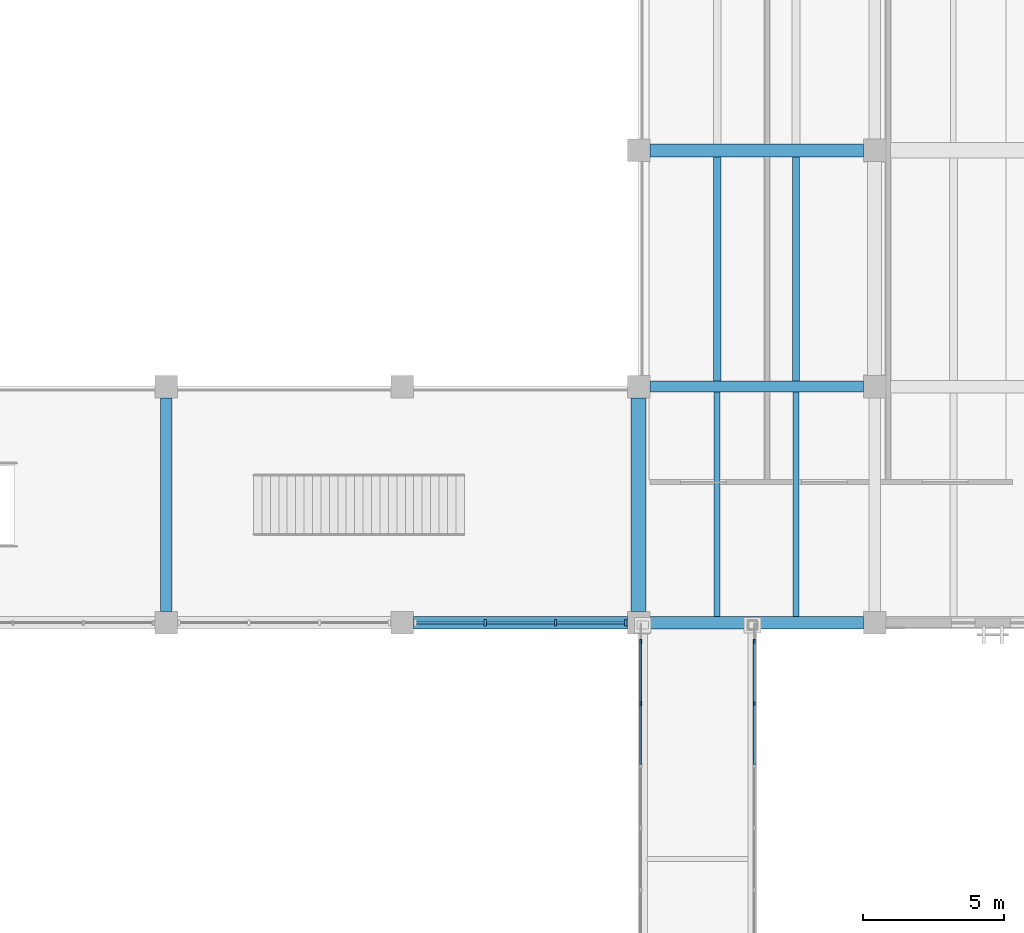
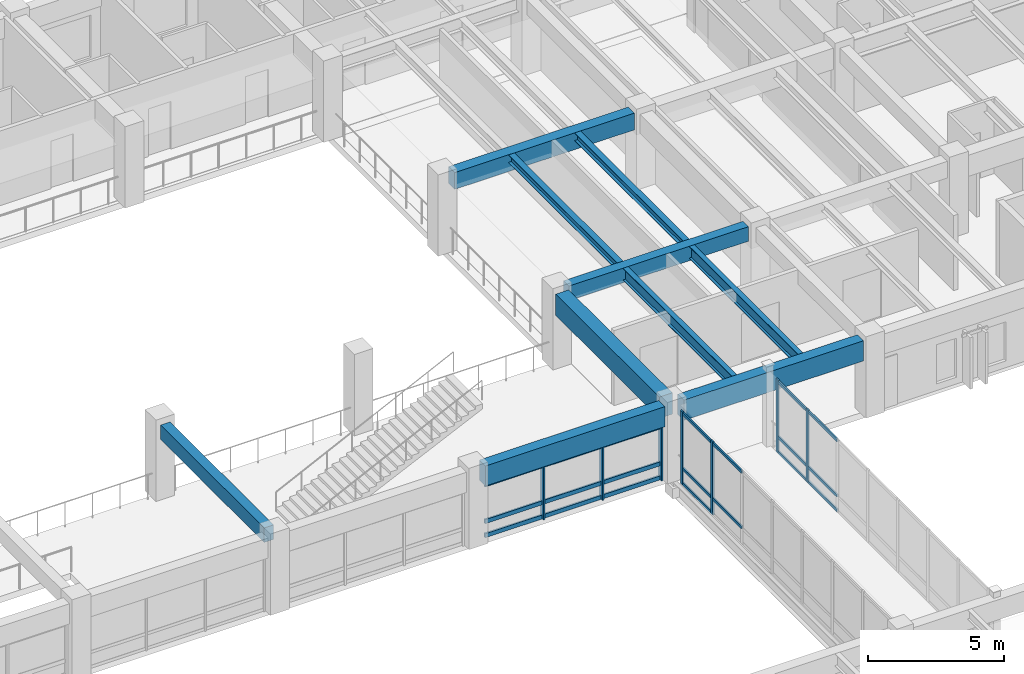
# One storey, part 48 of 118: 27 members, 10 beams, 3 elements without a shape of their own.
"""IFC4 building model written with IfcOpenShell, lengths in metres."""

from ifc_helpers import new_model, si_unit, direction, frame, origin, origin_2d, place, context, subcontext, project, spatial, rectangle, i_section, extrude, material, material_profile, profile_set, type_object, element, aggregate, save


model = new_model("IFC4")

# Units and contexts
model_context = context("Model", 3, precision=1e-05, world=origin(), true_north=direction((0.0, 1.0)))
body_context = subcontext(model_context, "Body", "Model", "MODEL_VIEW")
ifc_project = project(units=[si_unit("LENGTHUNIT", "METRE"), si_unit("AREAUNIT", "SQUARE_METRE"), si_unit("VOLUMEUNIT", "CUBIC_METRE"), si_unit("PLANEANGLEUNIT", "RADIAN"), si_unit("MASSUNIT", "GRAM", prefix="KILO")], contexts=[model_context])

# Site, building, storey
site_placement = place(None, origin())
site = spatial("IfcSite", under=ifc_project, at=site_placement, CompositionType="ELEMENT")
building_placement = place(site_placement, origin())
building = spatial("IfcBuilding", under=site, at=building_placement, Name="Cumbredor Promenade Congress Hotel", CompositionType="ELEMENT")
storey_placement = place(building_placement, frame((0.0, 0.0, 3.919921875)))
storey = spatial("IfcBuildingStorey", under=building, at=storey_placement, Name="L01", CompositionType="ELEMENT", Elevation=3.919921875)

# Beams
ifc_material_1 = material(Name="Concrete C40/50", Category="concrete")
ifc_material_profile_1 = material_profile(ifc_material_1, rectangle(XDim=0.39990234375, YDim=0.64990234375, at=origin_2d()), Name="RC BEAM 400x650")
ifc_profile_set_1 = profile_set([ifc_material_profile_1], Name="Concrete C40/50")
beam_type_1 = type_object("IfcBeamType", Name="BM-RC-400x650", PredefinedType="BEAM", material=ifc_profile_set_1)
beam_1_placement = place(storey_placement, frame((134.39990234375, 84.39990234375, 3.03515625), z_axis=(0.0, 1.0, 0.0), x_axis=(-1.0, 0.0, 0.0)))
element("IfcBeam", 1, at=beam_1_placement, inside=storey, type_object=beam_type_1, Name="L02 Y-Grid Beam 217", PredefinedType="BEAM", context=body_context, shape_type="SweptSolid", body=[
    extrude(rectangle(XDim=0.39990234375, YDim=0.64990234375, at=origin_2d()), origin(), (0.0, 0.0, 1.0), 7.60009765625),
])
beam_2_placement = place(storey_placement, frame((151.60009765625, 92.39990234375, 3.03515625), z_axis=(1.0, 0.0, 0.0), x_axis=(0.0, 1.0, 0.0)))
element("IfcBeam", 2, at=beam_2_placement, inside=storey, type_object=beam_type_1, Name="L02 X-Grid Beam 241", PredefinedType="BEAM", context=body_context, shape_type="SweptSolid", body=[
    extrude(rectangle(XDim=0.39990234375, YDim=0.64990234375, at=origin_2d()), origin(), (0.0, 0.0, 1.0), 7.599853515625),
])
ifc_material_profile_2 = material_profile(ifc_material_1, rectangle(XDim=0.449951171875, YDim=0.75, at=origin_2d()), Name="RC BEAM 450x750")
ifc_profile_set_2 = profile_set([ifc_material_profile_2], Name="Concrete C40/50")
beam_type_2 = type_object("IfcBeamType", Name="BM-RC-450x750", PredefinedType="BEAM", material=ifc_profile_set_2)
beam_3_placement = place(storey_placement, frame((151.60009765625, 100.800048828125, 2.985107421875), z_axis=(1.0, 0.0, 0.0), x_axis=(0.0, 1.0, 0.0)))
element("IfcBeam", 3, at=beam_3_placement, inside=storey, type_object=beam_type_2, Name="L02 X-Grid Beam 242", PredefinedType="BEAM", context=body_context, shape_type="SweptSolid", body=[
    extrude(rectangle(XDim=0.449951171875, YDim=0.75, at=origin_2d()), origin(), (0.0, 0.0, 1.0), 7.599853515625),
])
ifc_material_profile_3 = material_profile(ifc_material_1, rectangle(XDim=0.550048828125, YDim=0.949951171875, at=origin_2d()), Name="RC BEAM 550x950")
ifc_profile_set_3 = profile_set([ifc_material_profile_3], Name="Concrete C40/50")
beam_type_3 = type_object("IfcBeamType", Name="BM-RC-550x950", PredefinedType="BEAM", material=ifc_profile_set_3)
beam_4_placement = place(storey_placement, frame((151.199951171875, 84.39990234375, 2.885009765625), z_axis=(0.0, 1.0, 0.0), x_axis=(-1.0, 0.0, 0.0)))
element("IfcBeam", 4, at=beam_4_placement, inside=storey, type_object=beam_type_3, Name="L02 Y-Grid Beam 240", PredefinedType="BEAM", context=body_context, shape_type="SweptSolid", body=[
    extrude(rectangle(XDim=0.550048828125, YDim=0.949951171875, at=origin_2d()), origin(), (0.0, 0.0, 1.0), 7.60009765625),
])

# Curtain wall, members
ifc_material_2 = material(Name="Thermally broken anodized aluminium and low-E glass", Category="aluminium")
curtain_wall_type_1 = type_object("IfcCurtainWallType", Name="Unitised Bridge Glazing Screen CW-05", PredefinedType="NOTDEFINED", material=ifc_material_2)
curtain_wall_1_placement = place(storey_placement, origin())
curtain_wall_1 = element("IfcCurtainWall", 5, at=curtain_wall_1_placement, inside=storey, type_object=curtain_wall_type_1, Name="L01 East Ballroom-to-Forum Glazed Bridge West Glazing Screen", PredefinedType="NOTDEFINED")
ifc_material_3 = material(Name="Thermally broken anodized aluminium", Category="aluminium")
ifc_material_profile_4 = material_profile(ifc_material_3, rectangle(XDim=0.06494140625, YDim=0.159912109375, at=origin_2d()), Name="ALU MULLION 65x160")
ifc_profile_set_4 = profile_set([ifc_material_profile_4], Name="Thermally broken anodized aluminium")
member_type_1 = type_object("IfcMemberType", Name="Curtain Wall Mullion ML-01", PredefinedType="MULLION", material=ifc_profile_set_4)
member_1_placement = place(storey_placement, frame((151.280029296875, 81.128662109375, -0.0078125), z_axis=(0.0, 0.0, 1.0), x_axis=(1.0, 0.0, 0.0)))
member_1 = element("IfcMember", 6, at=member_1_placement, type_object=member_type_1, Name="L01 East Ballroom-to-Forum Glazed Bridge West Glazing Screen Mullion 7", PredefinedType="MULLION", context=body_context, shape_type="SweptSolid", body=[
    extrude(rectangle(XDim=0.06494140625, YDim=0.159912109375, at=origin_2d()), origin(), (0.0, 0.0, 1.0), 3.27587890625),
])
member_2_placement = place(storey_placement, frame((151.280029296875, 83.340087890625, -0.0078125), z_axis=(0.0, 0.0, 1.0), x_axis=(1.0, 0.0, 0.0)))
member_2 = element("IfcMember", 7, at=member_2_placement, type_object=member_type_1, Name="L01 East Ballroom-to-Forum Glazed Bridge West Glazing Screen Mullion 8", PredefinedType="MULLION", context=body_context, shape_type="SweptSolid", body=[
    extrude(rectangle(XDim=0.06494140625, YDim=0.159912109375, at=origin_2d()), origin(), (0.0, 0.0, 1.0), 3.27587890625),
])

curtain_wall_2_placement = place(storey_placement, origin())
curtain_wall_2 = element("IfcCurtainWall", 8, at=curtain_wall_2_placement, inside=storey, type_object=curtain_wall_type_1, Name="L01 East Ballroom-to-Forum Glazed Bridge East Glazing Screen", PredefinedType="NOTDEFINED")
member_3_placement = place(storey_placement, frame((155.320068359375, 81.128662109375, -0.0078125), z_axis=(0.0, 0.0, 1.0), x_axis=(1.0, 0.0, 0.0)))
member_3 = element("IfcMember", 9, at=member_3_placement, type_object=member_type_1, Name="L01 East Ballroom-to-Forum Glazed Bridge East Glazing Screen Mullion 7", PredefinedType="MULLION", context=body_context, shape_type="SweptSolid", body=[
    extrude(rectangle(XDim=0.06494140625, YDim=0.159912109375, at=origin_2d()), origin(), (0.0, 0.0, 1.0), 3.27587890625),
])
member_4_placement = place(storey_placement, frame((155.320068359375, 83.340087890625, -0.0078125), z_axis=(0.0, 0.0, 1.0), x_axis=(1.0, 0.0, 0.0)))
member_4 = element("IfcMember", 10, at=member_4_placement, type_object=member_type_1, Name="L01 East Ballroom-to-Forum Glazed Bridge East Glazing Screen Mullion 8", PredefinedType="MULLION", context=body_context, shape_type="SweptSolid", body=[
    extrude(rectangle(XDim=0.06494140625, YDim=0.159912109375, at=origin_2d()), origin(), (0.0, 0.0, 1.0), 3.27587890625),
])

curtain_wall_type_2 = type_object("IfcCurtainWallType", Name="Unitised Forum Curtain Wall CW-02", PredefinedType="NOTDEFINED", material=ifc_material_2)
curtain_wall_3_placement = place(storey_placement, origin())
curtain_wall_3 = element("IfcCurtainWall", 11, at=curtain_wall_3_placement, inside=storey, type_object=curtain_wall_type_2, Name="L01 Pre-Function and Breakout Meeting Forum South Curtain Wall 7", PredefinedType="NOTDEFINED")
ifc_material_profile_5 = material_profile(ifc_material_3, rectangle(XDim=0.080078125, YDim=0.239990234375, at=origin_2d()), Name="ALU MULLION 80x240")
ifc_profile_set_5 = profile_set([ifc_material_profile_5], Name="Thermally broken anodized aluminium")
member_type_2 = type_object("IfcMemberType", Name="Curtain Wall Mullion ML-03", PredefinedType="MULLION", material=ifc_profile_set_5)
member_5_placement = place(storey_placement, frame((145.751708984375, 84.0, -0.0078125), z_axis=(0.0, 0.0, 1.0), x_axis=(1.0, 0.0, 0.0)))
member_5 = element("IfcMember", 12, at=member_5_placement, type_object=member_type_2, Name="L01 Pre-Function and Breakout Meeting Forum South Curtain Wall 7 Mullion 2", PredefinedType="MULLION", context=body_context, shape_type="SweptSolid", body=[
    extrude(rectangle(XDim=0.080078125, YDim=0.239990234375, at=origin_2d()), origin(), (0.0, 0.0, 1.0), 2.4609375),
])
member_6_placement = place(storey_placement, frame((148.248291015625, 84.0, -0.0078125), z_axis=(0.0, 0.0, 1.0), x_axis=(1.0, 0.0, 0.0)))
member_6 = element("IfcMember", 13, at=member_6_placement, type_object=member_type_2, Name="L01 Pre-Function and Breakout Meeting Forum South Curtain Wall 7 Mullion 3", PredefinedType="MULLION", context=body_context, shape_type="SweptSolid", body=[
    extrude(rectangle(XDim=0.080078125, YDim=0.239990234375, at=origin_2d()), origin(), (0.0, 0.0, 1.0), 2.4609375),
])
member_7_placement = place(storey_placement, frame((150.7451171875, 84.0, -0.0078125), z_axis=(0.0, 0.0, 1.0), x_axis=(1.0, 0.0, 0.0)))
member_7 = element("IfcMember", 14, at=member_7_placement, type_object=member_type_2, Name="L01 Pre-Function and Breakout Meeting Forum South Curtain Wall 7 Mullion 4", PredefinedType="MULLION", context=body_context, shape_type="SweptSolid", body=[
    extrude(rectangle(XDim=0.080078125, YDim=0.239990234375, at=origin_2d()), origin(), (0.0, 0.0, 1.0), 2.4609375),
])

# Member
ifc_material_profile_6 = material_profile(ifc_material_3, rectangle(XDim=0.06494140625, YDim=0.1298828125, at=origin_2d()), Name="ALU TRANSOM 65x130")
ifc_profile_set_6 = profile_set([ifc_material_profile_6], Name="Thermally broken anodized aluminium")
member_type_3 = type_object("IfcMemberType", Name="Curtain Wall Transom TR-01", PredefinedType="USERDEFINED", material=ifc_profile_set_6)
member_8_placement = place(storey_placement, frame((151.280029296875, 78.94970703125, 0.719970703125), z_axis=(0.0, 1.0, 0.0), x_axis=(-1.0, 0.0, 0.0)))
member_8 = element("IfcMember", 15, at=member_8_placement, type_object=member_type_3, Name="L01 East Ballroom-to-Forum Glazed Bridge West Glazing Screen Transom 6.2", ObjectType="TRANSOM", PredefinedType="USERDEFINED", context=body_context, shape_type="SweptSolid", body=[
    extrude(rectangle(XDim=0.06494140625, YDim=0.1298828125, at=origin_2d()), origin(), (0.0, 0.0, 1.0), 2.146484375),
])

member_9_placement = place(storey_placement, frame((151.280029296875, 78.94970703125, 3.190185546875), z_axis=(0.0, 1.0, 0.0), x_axis=(-1.0, 0.0, 0.0)))
member_9 = element("IfcMember", 16, at=member_9_placement, type_object=member_type_3, Name="L01 East Ballroom-to-Forum Glazed Bridge West Glazing Screen Transom 6.3", ObjectType="TRANSOM", PredefinedType="USERDEFINED", context=body_context, shape_type="SweptSolid", body=[
    extrude(rectangle(XDim=0.06494140625, YDim=0.1298828125, at=origin_2d()), origin(), (0.0, 0.0, 1.0), 2.146484375),
])

member_10_placement = place(storey_placement, frame((151.280029296875, 81.1611328125, 0.06005859375), z_axis=(0.0, 1.0, 0.0), x_axis=(-1.0, 0.0, 0.0)))
member_10 = element("IfcMember", 17, at=member_10_placement, type_object=member_type_3, Name="L01 East Ballroom-to-Forum Glazed Bridge West Glazing Screen Transom 7.1", ObjectType="TRANSOM", PredefinedType="USERDEFINED", context=body_context, shape_type="SweptSolid", body=[
    extrude(rectangle(XDim=0.06494140625, YDim=0.1298828125, at=origin_2d()), origin(), (0.0, 0.0, 1.0), 2.146484375),
])

member_11_placement = place(storey_placement, frame((151.280029296875, 81.1611328125, 0.719970703125), z_axis=(0.0, 1.0, 0.0), x_axis=(-1.0, 0.0, 0.0)))
member_11 = element("IfcMember", 18, at=member_11_placement, type_object=member_type_3, Name="L01 East Ballroom-to-Forum Glazed Bridge West Glazing Screen Transom 7.2", ObjectType="TRANSOM", PredefinedType="USERDEFINED", context=body_context, shape_type="SweptSolid", body=[
    extrude(rectangle(XDim=0.06494140625, YDim=0.1298828125, at=origin_2d()), origin(), (0.0, 0.0, 1.0), 2.146484375),
])

member_12_placement = place(storey_placement, frame((151.280029296875, 81.1611328125, 3.190185546875), z_axis=(0.0, 1.0, 0.0), x_axis=(-1.0, 0.0, 0.0)))
member_12 = element("IfcMember", 19, at=member_12_placement, type_object=member_type_3, Name="L01 East Ballroom-to-Forum Glazed Bridge West Glazing Screen Transom 7.3", ObjectType="TRANSOM", PredefinedType="USERDEFINED", context=body_context, shape_type="SweptSolid", body=[
    extrude(rectangle(XDim=0.06494140625, YDim=0.1298828125, at=origin_2d()), origin(), (0.0, 0.0, 1.0), 2.146484375),
])

aggregate(curtain_wall_1, [member_1, member_2, member_8, member_9, member_10, member_11, member_12])

member_13_placement = place(storey_placement, frame((155.320068359375, 78.94970703125, 0.06005859375), z_axis=(0.0, 1.0, 0.0), x_axis=(-1.0, 0.0, 0.0)))
member_13 = element("IfcMember", 20, at=member_13_placement, type_object=member_type_3, Name="L01 East Ballroom-to-Forum Glazed Bridge East Glazing Screen Transom 6.1", ObjectType="TRANSOM", PredefinedType="USERDEFINED", context=body_context, shape_type="SweptSolid", body=[
    extrude(rectangle(XDim=0.06494140625, YDim=0.1298828125, at=origin_2d()), origin(), (0.0, 0.0, 1.0), 2.146484375),
])

member_14_placement = place(storey_placement, frame((155.320068359375, 78.94970703125, 0.719970703125), z_axis=(0.0, 1.0, 0.0), x_axis=(-1.0, 0.0, 0.0)))
member_14 = element("IfcMember", 21, at=member_14_placement, type_object=member_type_3, Name="L01 East Ballroom-to-Forum Glazed Bridge East Glazing Screen Transom 6.2", ObjectType="TRANSOM", PredefinedType="USERDEFINED", context=body_context, shape_type="SweptSolid", body=[
    extrude(rectangle(XDim=0.06494140625, YDim=0.1298828125, at=origin_2d()), origin(), (0.0, 0.0, 1.0), 2.146484375),
])

member_15_placement = place(storey_placement, frame((155.320068359375, 78.94970703125, 3.190185546875), z_axis=(0.0, 1.0, 0.0), x_axis=(-1.0, 0.0, 0.0)))
member_15 = element("IfcMember", 22, at=member_15_placement, type_object=member_type_3, Name="L01 East Ballroom-to-Forum Glazed Bridge East Glazing Screen Transom 6.3", ObjectType="TRANSOM", PredefinedType="USERDEFINED", context=body_context, shape_type="SweptSolid", body=[
    extrude(rectangle(XDim=0.06494140625, YDim=0.1298828125, at=origin_2d()), origin(), (0.0, 0.0, 1.0), 2.146484375),
])

member_16_placement = place(storey_placement, frame((155.320068359375, 81.1611328125, 0.06005859375), z_axis=(0.0, 1.0, 0.0), x_axis=(-1.0, 0.0, 0.0)))
member_16 = element("IfcMember", 23, at=member_16_placement, type_object=member_type_3, Name="L01 East Ballroom-to-Forum Glazed Bridge East Glazing Screen Transom 7.1", ObjectType="TRANSOM", PredefinedType="USERDEFINED", context=body_context, shape_type="SweptSolid", body=[
    extrude(rectangle(XDim=0.06494140625, YDim=0.1298828125, at=origin_2d()), origin(), (0.0, 0.0, 1.0), 2.146484375),
])

member_17_placement = place(storey_placement, frame((155.320068359375, 81.1611328125, 0.719970703125), z_axis=(0.0, 1.0, 0.0), x_axis=(-1.0, 0.0, 0.0)))
member_17 = element("IfcMember", 24, at=member_17_placement, type_object=member_type_3, Name="L01 East Ballroom-to-Forum Glazed Bridge East Glazing Screen Transom 7.2", ObjectType="TRANSOM", PredefinedType="USERDEFINED", context=body_context, shape_type="SweptSolid", body=[
    extrude(rectangle(XDim=0.06494140625, YDim=0.1298828125, at=origin_2d()), origin(), (0.0, 0.0, 1.0), 2.146484375),
])

member_18_placement = place(storey_placement, frame((155.320068359375, 81.1611328125, 3.190185546875), z_axis=(0.0, 1.0, 0.0), x_axis=(-1.0, 0.0, 0.0)))
member_18 = element("IfcMember", 25, at=member_18_placement, type_object=member_type_3, Name="L01 East Ballroom-to-Forum Glazed Bridge East Glazing Screen Transom 7.3", ObjectType="TRANSOM", PredefinedType="USERDEFINED", context=body_context, shape_type="SweptSolid", body=[
    extrude(rectangle(XDim=0.06494140625, YDim=0.1298828125, at=origin_2d()), origin(), (0.0, 0.0, 1.0), 2.146484375),
])

aggregate(curtain_wall_2, [member_3, member_4, member_13, member_14, member_15, member_16, member_17, member_18])

ifc_material_profile_7 = material_profile(ifc_material_3, rectangle(XDim=0.080078125, YDim=0.179931640625, at=origin_2d()), Name="ALU TRANSOM 80x180")
ifc_profile_set_7 = profile_set([ifc_material_profile_7], Name="Thermally broken anodized aluminium")
member_type_4 = type_object("IfcMemberType", Name="Curtain Wall Transom TR-03", PredefinedType="USERDEFINED", material=ifc_profile_set_7)
member_19_placement = place(storey_placement, frame((143.294921875, 84.0, 0.090087890625), z_axis=(1.0, 0.0, 0.0), x_axis=(0.0, 1.0, 0.0)))
member_19 = element("IfcMember", 26, at=member_19_placement, type_object=member_type_4, Name="L01 Pre-Function and Breakout Meeting Forum South Curtain Wall 7 Transom 1.1", ObjectType="TRANSOM", PredefinedType="USERDEFINED", context=body_context, shape_type="SweptSolid", body=[
    extrude(rectangle(XDim=0.080078125, YDim=0.179931640625, at=origin_2d()), origin(), (0.0, 0.0, 1.0), 2.416748046875),
])

member_20_placement = place(storey_placement, frame((143.294921875, 84.0, 0.719970703125), z_axis=(1.0, 0.0, 0.0), x_axis=(0.0, 1.0, 0.0)))
member_20 = element("IfcMember", 27, at=member_20_placement, type_object=member_type_4, Name="L01 Pre-Function and Breakout Meeting Forum South Curtain Wall 7 Transom 1.2", ObjectType="TRANSOM", PredefinedType="USERDEFINED", context=body_context, shape_type="SweptSolid", body=[
    extrude(rectangle(XDim=0.080078125, YDim=0.179931640625, at=origin_2d()), origin(), (0.0, 0.0, 1.0), 2.416748046875),
])

member_21_placement = place(storey_placement, frame((143.294921875, 84.0, 2.360107421875), z_axis=(1.0, 0.0, 0.0), x_axis=(0.0, 1.0, 0.0)))
member_21 = element("IfcMember", 28, at=member_21_placement, type_object=member_type_4, Name="L01 Pre-Function and Breakout Meeting Forum South Curtain Wall 7 Transom 1.3", ObjectType="TRANSOM", PredefinedType="USERDEFINED", context=body_context, shape_type="SweptSolid", body=[
    extrude(rectangle(XDim=0.080078125, YDim=0.179931640625, at=origin_2d()), origin(), (0.0, 0.0, 1.0), 2.416748046875),
])

member_22_placement = place(storey_placement, frame((145.791748046875, 84.0, 0.090087890625), z_axis=(1.0, 0.0, 0.0), x_axis=(0.0, 1.0, 0.0)))
member_22 = element("IfcMember", 29, at=member_22_placement, type_object=member_type_4, Name="L01 Pre-Function and Breakout Meeting Forum South Curtain Wall 7 Transom 2.1", ObjectType="TRANSOM", PredefinedType="USERDEFINED", context=body_context, shape_type="SweptSolid", body=[
    extrude(rectangle(XDim=0.080078125, YDim=0.179931640625, at=origin_2d()), origin(), (0.0, 0.0, 1.0), 2.41650390625),
])

member_23_placement = place(storey_placement, frame((145.791748046875, 84.0, 0.719970703125), z_axis=(1.0, 0.0, 0.0), x_axis=(0.0, 1.0, 0.0)))
member_23 = element("IfcMember", 30, at=member_23_placement, type_object=member_type_4, Name="L01 Pre-Function and Breakout Meeting Forum South Curtain Wall 7 Transom 2.2", ObjectType="TRANSOM", PredefinedType="USERDEFINED", context=body_context, shape_type="SweptSolid", body=[
    extrude(rectangle(XDim=0.080078125, YDim=0.179931640625, at=origin_2d()), origin(), (0.0, 0.0, 1.0), 2.41650390625),
])

member_24_placement = place(storey_placement, frame((145.791748046875, 84.0, 2.360107421875), z_axis=(1.0, 0.0, 0.0), x_axis=(0.0, 1.0, 0.0)))
member_24 = element("IfcMember", 31, at=member_24_placement, type_object=member_type_4, Name="L01 Pre-Function and Breakout Meeting Forum South Curtain Wall 7 Transom 2.3", ObjectType="TRANSOM", PredefinedType="USERDEFINED", context=body_context, shape_type="SweptSolid", body=[
    extrude(rectangle(XDim=0.080078125, YDim=0.179931640625, at=origin_2d()), origin(), (0.0, 0.0, 1.0), 2.41650390625),
])

member_25_placement = place(storey_placement, frame((148.288330078125, 84.0, 0.090087890625), z_axis=(1.0, 0.0, 0.0), x_axis=(0.0, 1.0, 0.0)))
member_25 = element("IfcMember", 32, at=member_25_placement, type_object=member_type_4, Name="L01 Pre-Function and Breakout Meeting Forum South Curtain Wall 7 Transom 3.1", ObjectType="TRANSOM", PredefinedType="USERDEFINED", context=body_context, shape_type="SweptSolid", body=[
    extrude(rectangle(XDim=0.080078125, YDim=0.179931640625, at=origin_2d()), origin(), (0.0, 0.0, 1.0), 2.416748046875),
])

member_26_placement = place(storey_placement, frame((148.288330078125, 84.0, 0.719970703125), z_axis=(1.0, 0.0, 0.0), x_axis=(0.0, 1.0, 0.0)))
member_26 = element("IfcMember", 33, at=member_26_placement, type_object=member_type_4, Name="L01 Pre-Function and Breakout Meeting Forum South Curtain Wall 7 Transom 3.2", ObjectType="TRANSOM", PredefinedType="USERDEFINED", context=body_context, shape_type="SweptSolid", body=[
    extrude(rectangle(XDim=0.080078125, YDim=0.179931640625, at=origin_2d()), origin(), (0.0, 0.0, 1.0), 2.416748046875),
])

member_27_placement = place(storey_placement, frame((148.288330078125, 84.0, 2.360107421875), z_axis=(1.0, 0.0, 0.0), x_axis=(0.0, 1.0, 0.0)))
member_27 = element("IfcMember", 34, at=member_27_placement, type_object=member_type_4, Name="L01 Pre-Function and Breakout Meeting Forum South Curtain Wall 7 Transom 3.3", ObjectType="TRANSOM", PredefinedType="USERDEFINED", context=body_context, shape_type="SweptSolid", body=[
    extrude(rectangle(XDim=0.080078125, YDim=0.179931640625, at=origin_2d()), origin(), (0.0, 0.0, 1.0), 2.416748046875),
])

aggregate(curtain_wall_3, [member_5, member_6, member_7, member_19, member_20, member_21, member_22, member_23, member_24, member_25, member_26, member_27])

# Beams
ifc_material_4 = material(Name="Steel ASTM A992 Grade 50", Category="steel")
ifc_material_profile_8 = material_profile(ifc_material_4, i_section(OverallWidth=0.2548828125, OverallDepth=0.35693359375, WebThickness=0.010498046875, FlangeThickness=0.018310546875, at=origin_2d()), Name="W14X68")
ifc_profile_set_8 = profile_set([ifc_material_profile_8], Name="Steel ASTM A992 Grade 50")
beam_type_4 = type_object("IfcBeamType", Name="JST-W14X68", PredefinedType="JOIST", material=ifc_profile_set_8)
for number, where, z_axis, x_axis, name in (
    (35, (154.0, 92.60009765625, 3.181640625), (0.0, 1.0, 0.0), (-1.0, 0.0, 0.0), "L02 Secondary Floor Joist 0133"),
    (36, (156.800048828125, 92.60009765625, 3.181640625), (0.0, 1.0, 0.0), (-1.0, 0.0, 0.0), "L02 Secondary Floor Joist 0134"),
):
    element("IfcBeam", number, at=place(storey_placement, frame(where, z_axis=z_axis, x_axis=x_axis)), inside=storey, type_object=beam_type_4, Name=name, PredefinedType="JOIST", context=body_context, shape_type="SweptSolid", body=[
        extrude(i_section(OverallWidth=0.2548828125, OverallDepth=0.35693359375, WebThickness=0.010498046875, FlangeThickness=0.018310546875, at=origin_2d()), origin(), (0.0, 0.0, 1.0), 7.974853515625),
    ])
ifc_material_profile_9 = material_profile(ifc_material_4, i_section(OverallWidth=0.214111328125, OverallDepth=0.549072265625, WebThickness=0.0146484375, FlangeThickness=0.023681640625, at=origin_2d()), Name="W21X93")
ifc_profile_set_9 = profile_set([ifc_material_profile_9], Name="Steel ASTM A992 Grade 50")
beam_type_5 = type_object("IfcBeamType", Name="JST-W21X93", PredefinedType="JOIST", material=ifc_profile_set_9)
for number, where, z_axis, x_axis, name in (
    (37, (154.0, 84.22509765625, 3.085693359375), (0.0, 1.0, 0.0), (-1.0, 0.0, 0.0), "L02 Secondary Floor Joist 0131"),
    (38, (156.800048828125, 84.22509765625, 3.085693359375), (0.0, 1.0, 0.0), (-1.0, 0.0, 0.0), "L02 Secondary Floor Joist 0132"),
):
    element("IfcBeam", number, at=place(storey_placement, frame(where, z_axis=z_axis, x_axis=x_axis)), inside=storey, type_object=beam_type_5, Name=name, PredefinedType="JOIST", context=body_context, shape_type="SweptSolid", body=[
        extrude(i_section(OverallWidth=0.214111328125, OverallDepth=0.549072265625, WebThickness=0.0146484375, FlangeThickness=0.023681640625, at=origin_2d()), origin(), (0.0, 0.0, 1.0), 7.974853515625),
    ])
ifc_material_profile_10 = material_profile(ifc_material_1, rectangle(XDim=0.449951171875, YDim=0.89990234375, at=origin_2d()), Name="RC SPANDREL 450x900")
ifc_profile_set_10 = profile_set([ifc_material_profile_10], Name="Concrete C40/50")
beam_type_6 = type_object("IfcBeamType", Name="SP-RC-450x900", PredefinedType="SPANDREL", material=ifc_profile_set_10)
beam_5_placement = place(storey_placement, frame((143.199951171875, 84.0, 2.91015625), z_axis=(1.0, 0.0, 0.0), x_axis=(0.0, 1.0, 0.0)))
element("IfcBeam", 39, at=beam_5_placement, inside=storey, type_object=beam_type_6, Name="L02 X-Grid Beam 231", PredefinedType="SPANDREL", context=body_context, shape_type="SweptSolid", body=[
    extrude(rectangle(XDim=0.449951171875, YDim=0.89990234375, at=origin_2d()), origin(), (0.0, 0.0, 1.0), 7.60009765625),
])
beam_6_placement = place(storey_placement, frame((151.60009765625, 84.0, 2.91015625), z_axis=(1.0, 0.0, 0.0), x_axis=(0.0, 1.0, 0.0)))
element("IfcBeam", 40, at=beam_6_placement, inside=storey, type_object=beam_type_6, Name="L02 X-Grid Beam 239", PredefinedType="SPANDREL", context=body_context, shape_type="SweptSolid", body=[
    extrude(rectangle(XDim=0.449951171875, YDim=0.89990234375, at=origin_2d()), origin(), (0.0, 0.0, 1.0), 7.599853515625),
])

save(model, "model.ifc")
